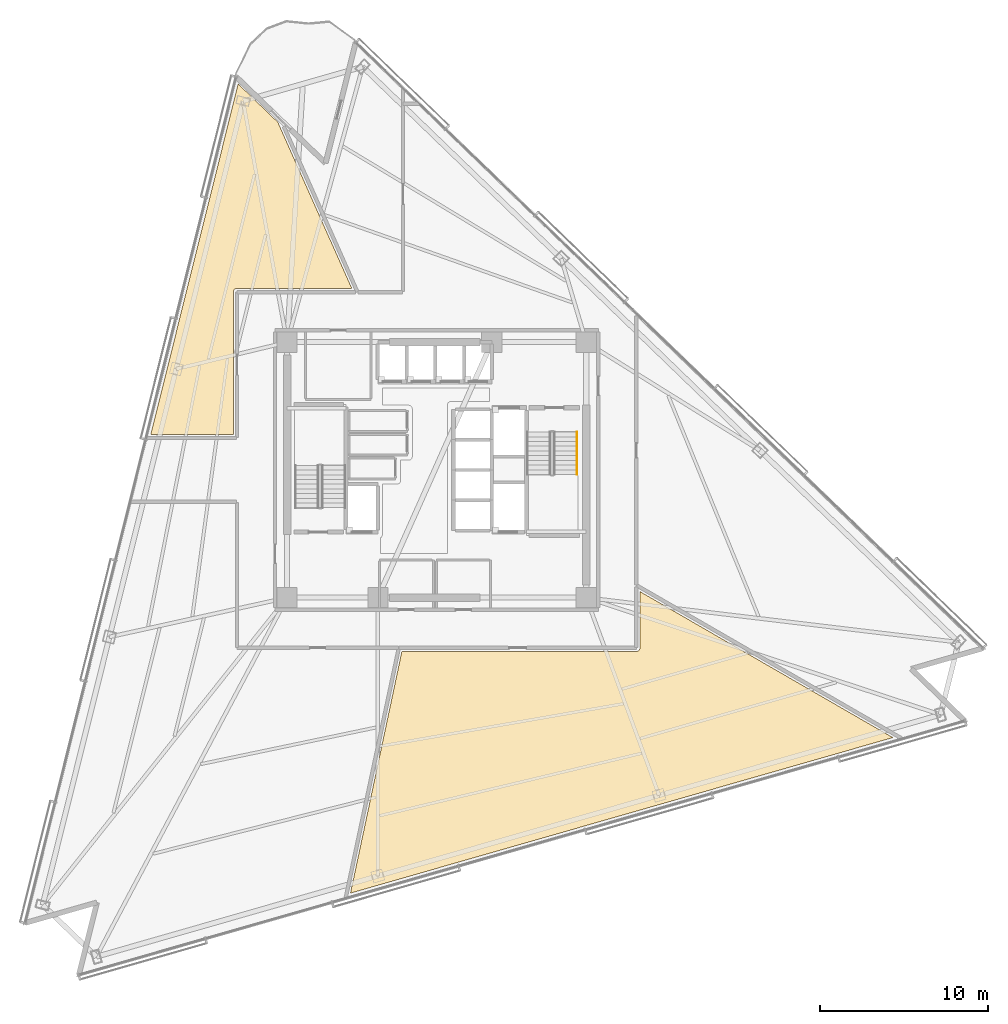
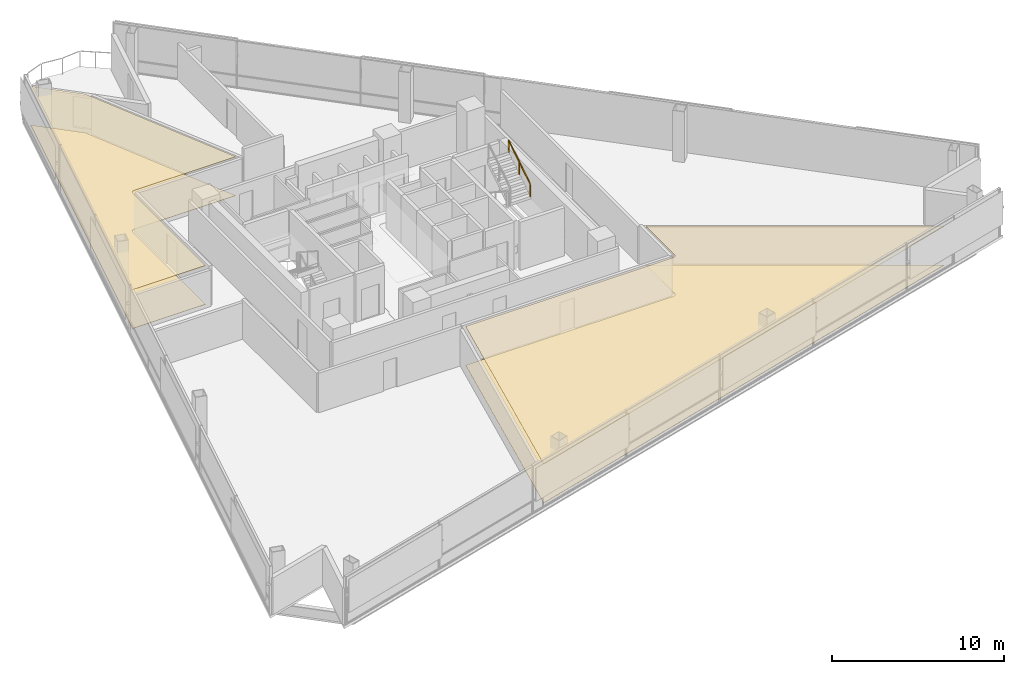
# One storey, part 15 of 16: 4 coverings, 1 railing.
"""IFC4 building model written with IfcOpenShell, lengths in metres."""

from ifc_helpers import new_model, si_unit, direction, frame, origin, origin_2d, place, context, subcontext, project, spatial, polyline, rectangle, outline, extrude, material, layer, layer_set, type_object, element, save


model = new_model("IFC4")

# Units and contexts
model_context = context("Model", 3, precision=1e-05, world=origin(), true_north=direction((0.0, 1.0)))
body_context = subcontext(model_context, "Body", "Model", "MODEL_VIEW")
ifc_project = project(units=[si_unit("LENGTHUNIT", "METRE"), si_unit("AREAUNIT", "SQUARE_METRE"), si_unit("VOLUMEUNIT", "CUBIC_METRE"), si_unit("PLANEANGLEUNIT", "RADIAN"), si_unit("MASSUNIT", "GRAM", prefix="KILO")], contexts=[model_context])

# Site, building, storey
site_placement = place(None, origin())
site = spatial("IfcSite", under=ifc_project, at=site_placement, CompositionType="ELEMENT")
building_placement = place(site_placement, origin())
building = spatial("IfcBuilding", under=site, at=building_placement, Name="Tharavind Bronze Gate", CompositionType="ELEMENT")
storey_placement = place(building_placement, frame((0.0, 0.0, 104.10009765625)))
storey = spatial("IfcBuildingStorey", under=building, at=storey_placement, Name="L26", CompositionType="ELEMENT", Elevation=104.10009765625)

# Coverings
ifc_material_1 = material(Name="Perforated Bronze Acoustic Panel", Category="bronze")
ifc_layer_1 = layer(ifc_material_1, 0.044921875)
ifc_layer_set_1 = layer_set([ifc_layer_1], Name="Perforated Bronze Acoustic Panel")
covering_type_1 = type_object("IfcCoveringType", Name="ACOUSTIC BRONZE BAFFLE CEILING", PredefinedType="CEILING", material=ifc_layer_set_1)
covering_1_placement = place(storey_placement, frame((0.0, 0.0, 2.75)))
element("IfcCovering", 1, at=covering_1_placement, inside=storey, type_object=covering_type_1, Name="L26-RM-02 suspended ceiling", PredefinedType="CEILING", context=body_context, shape_type="SweptSolid", body=[
    extrude(outline(polyline([(-12.10009765625, 2.1201171875), (-12.10009765625, 10.579345703125), (-12.099609375, 10.590087890625), (-12.099609375, 10.5908203125), (-12.09765625, 10.6123046875), (-12.093505859375, 10.63330078125), (-12.087158203125, 10.654052734375), (-12.078857421875, 10.674072265625), (-12.068603515625, 10.693115234375), (-12.056640625, 10.7109375), (-12.04296875, 10.727783203125), (-12.027587890625, 10.742919921875), (-12.010986328125, 10.756591796875), (-11.9931640625, 10.768798828125), (-11.97412109375, 10.77880859375), (-11.9541015625, 10.787109375), (-11.933349609375, 10.79345703125), (-11.912353515625, 10.797607421875), (-11.890869140625, 10.7998046875), (-11.89013671875, 10.7998046875), (-11.87939453125, 10.800048828125), (-5.04931640625, 10.800048828125), (-9.45458984375, 20.694091796875), (-11.8125, 22.97119140625), (-17.01123046875, 2.1201171875), (-12.10009765625, 2.1201171875)])), origin(), (0.0, 0.0, 1.0), 0.034912109375),
])
ifc_material_2 = material(Name="Engineered Oak & Carpet Tile", Category="wood")
ifc_layer_2 = layer(ifc_material_2, 0.02490234375)
ifc_layer_set_2 = layer_set([ifc_layer_2], Name="Engineered Oak & Carpet Tile")
covering_type_2 = type_object("IfcCoveringType", Name="ENGINEERED TIMBER FLOORING", PredefinedType="FLOORING", material=ifc_layer_set_2)
covering_2_placement = place(storey_placement, origin())
element("IfcCovering", 2, at=covering_2_placement, inside=storey, type_object=covering_type_2, Name="L26-RM-04 floor finish", PredefinedType="FLOORING", context=body_context, shape_type="SweptSolid", body=[
    extrude(outline(polyline([(27.148193359375, -15.927978515625), (12.10009765625, -7.239990234375), (12.10009765625, -10.579345703125), (12.099609375, -10.590087890625), (12.099609375, -10.5908203125), (12.09765625, -10.6123046875), (12.093505859375, -10.63330078125), (12.087158203125, -10.654052734375), (12.078857421875, -10.674072265625), (12.068603515625, -10.693115234375), (12.056640625, -10.7109375), (12.04296875, -10.727783203125), (12.027587890625, -10.742919921875), (12.010986328125, -10.756591796875), (11.9931640625, -10.768798828125), (11.97412109375, -10.77880859375), (11.9541015625, -10.787109375), (11.933349609375, -10.79345703125), (11.912353515625, -10.797607421875), (11.890869140625, -10.7998046875), (11.89013671875, -10.7998046875), (11.87939453125, -10.800048828125), (-2.07080078125, -10.800048828125), (-5.1279296875, -25.18310546875), (27.148193359375, -15.927978515625)])), origin(), (0.0, 0.0, 1.0), 0.02490234375),
])
ifc_material_3 = material(Name="Acoustic Gypsum Board", Category="gypsum")
ifc_layer_3 = layer(ifc_material_3, 0.030029296875)
ifc_layer_set_3 = layer_set([ifc_layer_3], Name="Acoustic Gypsum Board")
covering_type_3 = type_object("IfcCoveringType", Name="GYPSUM SUSPENDED CEILING", PredefinedType="CEILING", material=ifc_layer_set_3)
covering_3_placement = place(storey_placement, frame((0.0, 0.0, 2.75)))
element("IfcCovering", 3, at=covering_3_placement, inside=storey, type_object=covering_type_3, Name="L26-RM-04 suspended ceiling", PredefinedType="CEILING", context=body_context, shape_type="SweptSolid", body=[
    extrude(outline(polyline([(27.148193359375, -15.927978515625), (12.10009765625, -7.239990234375), (12.10009765625, -10.579345703125), (12.099609375, -10.590087890625), (12.099609375, -10.5908203125), (12.09765625, -10.6123046875), (12.093505859375, -10.63330078125), (12.087158203125, -10.654052734375), (12.078857421875, -10.674072265625), (12.068603515625, -10.693115234375), (12.056640625, -10.7109375), (12.04296875, -10.727783203125), (12.027587890625, -10.742919921875), (12.010986328125, -10.756591796875), (11.9931640625, -10.768798828125), (11.97412109375, -10.77880859375), (11.9541015625, -10.787109375), (11.933349609375, -10.79345703125), (11.912353515625, -10.797607421875), (11.890869140625, -10.7998046875), (11.89013671875, -10.7998046875), (11.87939453125, -10.800048828125), (-2.07080078125, -10.800048828125), (-5.1279296875, -25.18310546875), (27.148193359375, -15.927978515625)])), origin(), (0.0, 0.0, 1.0), 0.034912109375),
])
ifc_material_4 = material(Name="Honed Travertine Limestone", Category="masonry")
ifc_layer_4 = layer(ifc_material_4, 0.030029296875)
ifc_layer_set_4 = layer_set([ifc_layer_4], Name="Honed Travertine Limestone")
covering_type_4 = type_object("IfcCoveringType", Name="HONED LIMESTONE FLOORING", PredefinedType="FLOORING", material=ifc_layer_set_4)
covering_4_placement = place(storey_placement, origin())
element("IfcCovering", 4, at=covering_4_placement, inside=storey, type_object=covering_type_4, Name="L26-RM-02 floor finish", PredefinedType="FLOORING", context=body_context, shape_type="SweptSolid", body=[
    extrude(outline(polyline([(-12.10009765625, 2.1201171875), (-12.10009765625, 10.579345703125), (-12.099609375, 10.590087890625), (-12.099609375, 10.5908203125), (-12.09765625, 10.6123046875), (-12.093505859375, 10.63330078125), (-12.087158203125, 10.654052734375), (-12.078857421875, 10.674072265625), (-12.068603515625, 10.693115234375), (-12.056640625, 10.7109375), (-12.04296875, 10.727783203125), (-12.027587890625, 10.742919921875), (-12.010986328125, 10.756591796875), (-11.9931640625, 10.768798828125), (-11.97412109375, 10.77880859375), (-11.9541015625, 10.787109375), (-11.933349609375, 10.79345703125), (-11.912353515625, 10.797607421875), (-11.890869140625, 10.7998046875), (-11.89013671875, 10.7998046875), (-11.87939453125, 10.800048828125), (-5.04931640625, 10.800048828125), (-9.45458984375, 20.694091796875), (-11.8125, 22.97119140625), (-17.01123046875, 2.1201171875), (-12.10009765625, 2.1201171875)])), origin(), (0.0, 0.0, 1.0), 0.02490234375),
])

# Railing
ifc_material_5 = material(Name="Brushed Bronze Alloy", Category="metal")
railing_type = type_object("IfcRailingType", Name="STAIR BRONZE HANDRAIL 900", PredefinedType="HANDRAIL", material=ifc_material_5)
railing_placement = place(storey_placement, frame((8.35009765625, -0.27001953125, 1.97998046875)))
element("IfcRailing", 5, at=railing_placement, inside=storey, type_object=railing_type, Name="L26 ST2 stair handrail 2", PredefinedType="HANDRAIL", context=body_context, shape_type="SweptSolid", body=[
    extrude(rectangle(XDim=0.048095703125, YDim=0.048095703125, at=origin_2d()), frame((0.0, 0.02685546875, 0.89306640625), z_axis=(0.0, 0.841199657755, 0.540724639528), x_axis=(-1.0, 0.0, 0.0)), (0.0, 0.0, 1.0), 2.931640625),
    extrude(rectangle(XDim=0.0400390625, YDim=0.0400390625, at=origin_2d()), origin(), (0.0, 0.0, 1.0), 0.847900390625),
    extrude(rectangle(XDim=0.0400390625, YDim=0.0400390625, at=origin_2d()), frame((0.0, 1.260009765625, 0.81005859375)), (0.0, 0.0, 1.0), 0.847900390625),
    extrude(rectangle(XDim=0.0400390625, YDim=0.0400390625, at=origin_2d()), frame((0.0, 2.52001953125, 1.619873046875)), (0.0, 0.0, 1.0), 0.847900390625),
])

save(model, "model.ifc")
